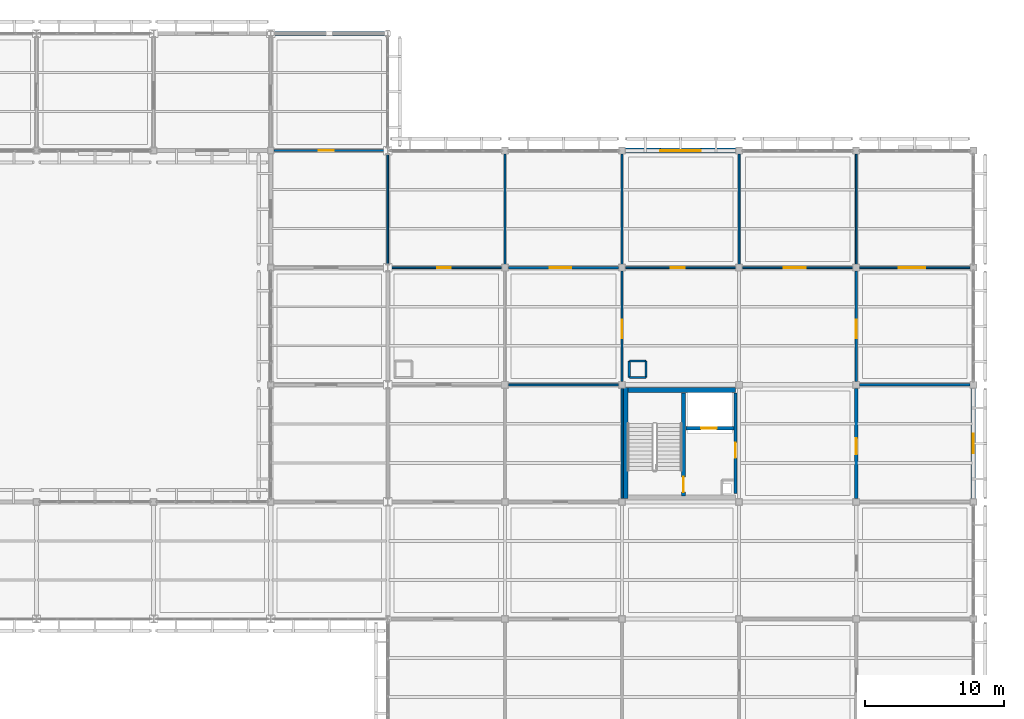
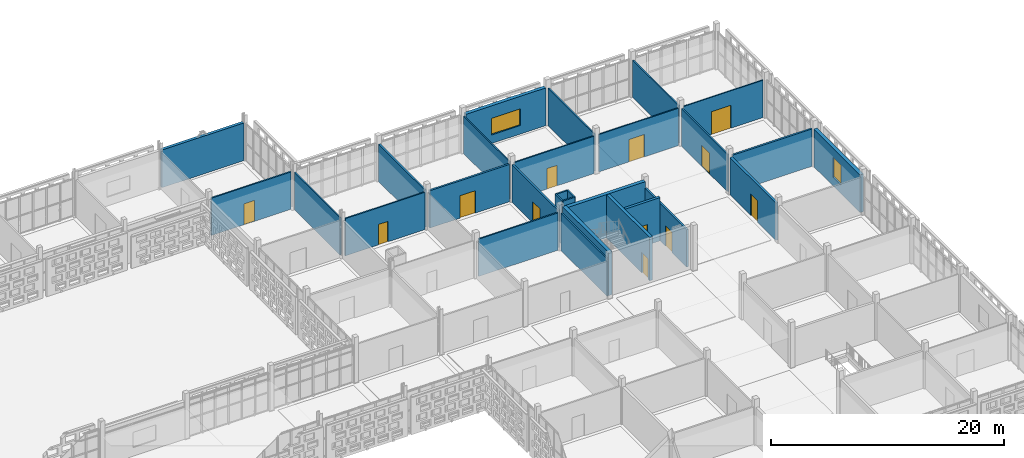
# One storey, part 128 of 203: 29 walls, 12 doors, 2 windows, 14 openings.
"""IFC4 building model written with IfcOpenShell, lengths in metres."""

from ifc_helpers import new_model, si_unit, direction, frame, frame_2d, origin, place, context, subcontext, project, spatial, rectangle, extrude, material, layer, layer_set, type_object, element, fill, save


model = new_model("IFC4")

# Units and contexts
model_context = context("Model", 3, precision=1e-05, world=origin(), true_north=direction((0.0, 1.0)))
body_context = subcontext(model_context, "Body", "Model", "MODEL_VIEW")
ifc_project = project(units=[si_unit("LENGTHUNIT", "METRE"), si_unit("AREAUNIT", "SQUARE_METRE"), si_unit("VOLUMEUNIT", "CUBIC_METRE"), si_unit("PLANEANGLEUNIT", "RADIAN"), si_unit("MASSUNIT", "GRAM", prefix="KILO")], contexts=[model_context])

# Site, building, storey
site_placement = place(None, origin())
site = spatial("IfcSite", under=ifc_project, at=site_placement, CompositionType="ELEMENT")
building_placement = place(site_placement, origin())
building = spatial("IfcBuilding", under=site, at=building_placement, Name="Varnapada Polytechnic", CompositionType="ELEMENT")
storey_placement = place(building_placement, frame((0.0, 0.0, 4.800048828125)))
storey = spatial("IfcBuildingStorey", under=building, at=storey_placement, Name="L01", CompositionType="ELEMENT", Elevation=4.800048828125)

# Wall, opening, door
ifc_material_1 = material(Name="Autoclaved Aerated Concrete Block AAC-600", Category="concrete")
ifc_layer_1 = layer(ifc_material_1, 0.199951171875)
ifc_layer_set_1 = layer_set([ifc_layer_1], Name="Autoclaved Aerated Concrete Block AAC-600")
wall_type_1 = type_object("IfcWallType", Name="Interior Wall IW-01", PredefinedType="PARTITIONING", material=ifc_layer_set_1)
wall_1_placement = place(storey_placement, frame((159.340087890625, 100.199951171875, 0.0), z_axis=(0.0, 0.0, 1.0), x_axis=(0.0, -1.0, 0.0)))
wall_1 = element("IfcWall", 1, at=wall_1_placement, inside=storey, type_object=wall_type_1, Name="L01 C5 firefighting lobby east wall", PredefinedType="PARTITIONING", context=body_context, shape_type="SweptSolid", body=[
    extrude(rectangle(XDim=7.199951171875, YDim=0.199951171875, at=frame_2d((3.60009765625, 0.0))), origin(), (0.0, 0.0, 1.0), 3.919921875),
])
opening_1_placement = place(wall_1_placement, frame((3.550048828125, 0.0, 0.0)))
opening_1 = element("IfcOpeningElement", 2, at=opening_1_placement, cuts=wall_1, Name="Opening D-955", PredefinedType="OPENING", context=body_context, shape_type="SweptSolid", body=[
    extrude(rectangle(XDim=1.10009765625, YDim=2.14990234375, at=frame_2d((0.550048828125, 1.074951171875))), frame((0.0, 0.10986328125, 0.0), z_axis=(0.0, -1.0, 0.0), x_axis=(1.0, 0.0, 0.0)), (0.0, 0.0, 1.0), 0.219970703125),
])
ifc_material_2 = material(Name="Galvanized Steel Z275", Category="steel")
door_type_1 = type_object("IfcDoorType", Name="Interior Door ID-01", OperationType="NOTDEFINED", PredefinedType="DOOR", material=ifc_material_2)
door_1_placement = place(opening_1_placement, frame((1.10009765625, 0.0, 0.0), z_axis=(0.0, 0.0, 1.0), x_axis=(-1.0, 0.0, 0.0)))
door_1 = element("IfcDoor", 3, at=door_1_placement, inside=storey, type_object=door_type_1, Name="L01 C5 lobby fire door D-955", OperationType="SINGLE_SWING_LEFT", OverallHeight=2.14990234375, OverallWidth=1.10009765625, PredefinedType="DOOR", context=body_context, shape_type="SweptSolid", body=[
    extrude(rectangle(XDim=1.10009765625, YDim=2.14990234375, at=frame_2d((0.550048828125, 1.074951171875))), frame((0.0, 0.02490234375, 0.0), z_axis=(0.0, -1.0, 0.0), x_axis=(1.0, 0.0, 0.0)), (0.0, 0.0, 1.0), 0.050048828125),
])
fill(opening_1, door_1)

# Walls
ifc_layer_2 = layer(ifc_material_1, 0.14990234375)
ifc_layer_set_2 = layer_set([ifc_layer_2], Name="Autoclaved Aerated Concrete Block AAC-600")
wall_type_2 = type_object("IfcWallType", Name="Interior Wall IW-02", PredefinedType="PARTITIONING", material=ifc_layer_set_2)
for number, where, z_axis, x_axis, name in (
    (4, (151.719970703125, 101.320068359375, 0.0), (0.0, 0.0, 1.0), (1.0, 0.0, 0.0), "L01 enclosed service riser wall (19,13) S"),
    (5, (152.919921875, 101.320068359375, 0.0), (0.0, 0.0, 1.0), (0.0, 1.0, 0.0), "L01 enclosed service riser wall (19,13) E"),
    (6, (152.919921875, 102.52001953125, 0.0), (0.0, 0.0, 1.0), (-1.0, 0.0, 0.0), "L01 enclosed service riser wall (19,13) N"),
    (7, (151.719970703125, 102.52001953125, 0.0), (0.0, 0.0, 1.0), (0.0, -1.0, 0.0), "L01 enclosed service riser wall (19,13) W"),
):
    element("IfcWall", number, at=place(storey_placement, frame(where, z_axis=z_axis, x_axis=x_axis)), inside=storey, type_object=wall_type_2, Name=name, PredefinedType="PARTITIONING", context=body_context, shape_type="SweptSolid", body=[
        extrude(rectangle(XDim=1.199951171875, YDim=0.14990234375, at=frame_2d((0.60009765625, 0.0))), origin(), (0.0, 0.0, 1.0), 4.550048828125),
    ])

# Wall, opening, door
wall_2_placement = place(storey_placement, frame((168.0, 101.050048828125, 0.0), z_axis=(0.0, 0.0, 1.0), x_axis=(0.0, 1.0, 0.0)))
wall_2 = element("IfcWall", 8, at=wall_2_placement, inside=storey, type_object=wall_type_2, Name="L01 interior partition IW-L01-19-12-V", PredefinedType="PARTITIONING", context=body_context, shape_type="SweptSolid", body=[
    extrude(rectangle(XDim=7.909912109375, YDim=0.14990234375, at=frame_2d((3.955078125, 0.0))), origin(), (0.0, 0.0, 1.0), 3.919921875),
])
opening_2_placement = place(wall_2_placement, frame((3.10009765625, 0.0, 0.0)))
opening_2 = element("IfcOpeningElement", 9, at=opening_2_placement, cuts=wall_2, Name="Opening D-1080", PredefinedType="OPENING", context=body_context, shape_type="SweptSolid", body=[
    extrude(rectangle(XDim=1.300048828125, YDim=2.199951171875, at=frame_2d((0.64990234375, 1.10009765625))), frame((0.0, 0.0849609375, 0.0), z_axis=(0.0, -1.0, 0.0), x_axis=(1.0, 0.0, 0.0)), (0.0, 0.0, 1.0), 0.169921875),
])
ifc_material_3 = material(Name="Acoustic Laminated Timber Leaf", Category="wood")
door_type_2 = type_object("IfcDoorType", Name="Interior Door ID-11", OperationType="NOTDEFINED", PredefinedType="DOOR", material=ifc_material_3)
door_2_placement = place(opening_2_placement, origin())
door_2 = element("IfcDoor", 10, at=door_2_placement, inside=storey, type_object=door_type_2, Name="L01 interior room door D-1080", OperationType="SINGLE_SWING_LEFT", OverallHeight=2.199951171875, OverallWidth=1.300048828125, PredefinedType="DOOR", context=body_context, shape_type="SweptSolid", body=[
    extrude(rectangle(XDim=1.300048828125, YDim=2.199951171875, at=frame_2d((0.64990234375, 1.10009765625))), frame((0.0, 0.02490234375, 0.0), z_axis=(0.0, -1.0, 0.0), x_axis=(1.0, 0.0, 0.0)), (0.0, 0.0, 1.0), 0.050048828125),
])
fill(opening_2, door_2)

# Wall
ifc_material_4 = material(Name="Gypsum Plasterboard Acoustic Partition")
ifc_layer_3 = layer(ifc_material_4, 0.125)
ifc_layer_set_3 = layer_set([ifc_layer_3], Name="Gypsum Plasterboard Acoustic Partition")
wall_type_3 = type_object("IfcWallType", Name="Interior Wall IW-03", PredefinedType="PARTITIONING", material=ifc_layer_set_3)
wall_3_placement = place(storey_placement, frame((134.39990234375, 109.469970703125, 0.0), z_axis=(0.0, 0.0, 1.0), x_axis=(0.0, 1.0, 0.0)))
element("IfcWall", 11, at=wall_3_placement, inside=storey, type_object=wall_type_3, Name="L01 interior partition IW-L01-15-13-V", PredefinedType="PARTITIONING", context=body_context, shape_type="SweptSolid", body=[
    extrude(rectangle(XDim=7.860107421875, YDim=0.125, at=frame_2d((3.93017578125, 0.0))), origin(), (0.0, 0.0, 1.0), 3.919921875),
])

# Wall, opening, door
wall_4_placement = place(storey_placement, frame((151.43994140625, 109.199951171875, 0.0), z_axis=(0.0, 0.0, 1.0), x_axis=(1.0, 0.0, 0.0)))
wall_4 = element("IfcWall", 12, at=wall_4_placement, inside=storey, type_object=wall_type_3, Name="L01 interior partition IW-L01-18-12-H", PredefinedType="PARTITIONING", context=body_context, shape_type="SweptSolid", body=[
    extrude(rectangle(XDim=7.920166015625, YDim=0.125, at=frame_2d((3.9599609375, 0.0))), origin(), (0.0, 0.0, 1.0), 3.919921875),
])
opening_3_placement = place(wall_4_placement, frame((3.25, 0.0, 0.0)))
opening_3 = element("IfcOpeningElement", 13, at=opening_3_placement, cuts=wall_4, Name="Opening D-1071", PredefinedType="OPENING", context=body_context, shape_type="SweptSolid", body=[
    extrude(rectangle(XDim=1.0, YDim=2.14990234375, at=frame_2d((0.5, 1.074951171875))), frame((0.0, 0.072509765625, 0.0), z_axis=(0.0, -1.0, 0.0), x_axis=(1.0, 0.0, 0.0)), (0.0, 0.0, 1.0), 0.14501953125),
])
ifc_material_5 = material(Name="Solid Teak Hardwood Timber", Category="wood")
door_type_3 = type_object("IfcDoorType", Name="Interior Door ID-02", OperationType="NOTDEFINED", PredefinedType="DOOR", material=ifc_material_5)
door_3_placement = place(opening_3_placement, origin())
door_3 = element("IfcDoor", 14, at=door_3_placement, inside=storey, type_object=door_type_3, Name="L01 interior room door D-1071", OperationType="SINGLE_SWING_RIGHT", OverallHeight=2.14990234375, OverallWidth=1.0, PredefinedType="DOOR", context=body_context, shape_type="SweptSolid", body=[
    extrude(rectangle(XDim=1.0, YDim=2.14990234375, at=frame_2d((0.5, 1.074951171875))), frame((0.0, 0.02490234375, 0.0), z_axis=(0.0, -1.0, 0.0), x_axis=(1.0, 0.0, 0.0)), (0.0, 0.0, 1.0), 0.050048828125),
])
fill(opening_3, door_3)

wall_5_placement = place(storey_placement, frame((159.840087890625, 109.199951171875, 0.0), z_axis=(0.0, 0.0, 1.0), x_axis=(1.0, 0.0, 0.0)))
wall_5 = element("IfcWall", 15, at=wall_5_placement, inside=storey, type_object=wall_type_3, Name="L01 interior partition IW-L01-19-12-H", PredefinedType="PARTITIONING", context=body_context, shape_type="SweptSolid", body=[
    extrude(rectangle(XDim=7.919921875, YDim=0.125, at=frame_2d((3.9599609375, 0.0))), origin(), (0.0, 0.0, 1.0), 3.919921875),
])
opening_4_placement = place(wall_5_placement, frame((2.97509765625, 0.0, 0.0)))
opening_4 = element("IfcOpeningElement", 16, at=opening_4_placement, cuts=wall_5, Name="Opening D-1081", PredefinedType="OPENING", context=body_context, shape_type="SweptSolid", body=[
    extrude(rectangle(XDim=1.550048828125, YDim=2.35009765625, at=frame_2d((0.77490234375, 1.175048828125))), frame((0.0, 0.072509765625, 0.0), z_axis=(0.0, -1.0, 0.0), x_axis=(1.0, 0.0, 0.0)), (0.0, 0.0, 1.0), 0.14501953125),
])
door_type_4 = type_object("IfcDoorType", Name="Interior Door ID-12", OperationType="NOTDEFINED", PredefinedType="DOOR", material=ifc_material_2)
door_4_placement = place(opening_4_placement, origin())
door_4 = element("IfcDoor", 17, at=door_4_placement, inside=storey, type_object=door_type_4, Name="L01 interior room door D-1081", OperationType="SINGLE_SWING_RIGHT", OverallHeight=2.35009765625, OverallWidth=1.550048828125, PredefinedType="DOOR", context=body_context, shape_type="SweptSolid", body=[
    extrude(rectangle(XDim=1.550048828125, YDim=2.35009765625, at=frame_2d((0.77490234375, 1.175048828125))), frame((0.0, 0.02490234375, 0.0), z_axis=(0.0, -1.0, 0.0), x_axis=(1.0, 0.0, 0.0)), (0.0, 0.0, 1.0), 0.050048828125),
])
fill(opening_4, door_4)

ifc_material_6 = material(Name="Moisture-Resistant Cement Board Partition")
ifc_layer_4 = layer(ifc_material_6, 0.139892578125)
ifc_layer_set_4 = layer_set([ifc_layer_4], Name="Moisture-Resistant Cement Board Partition")
wall_type_4 = type_object("IfcWallType", Name="Interior Wall IW-04", PredefinedType="PARTITIONING", material=ifc_layer_set_4)
wall_6_placement = place(storey_placement, frame((126.22998046875, 117.60009765625, 0.0), z_axis=(0.0, 0.0, 1.0), x_axis=(1.0, 0.0, 0.0)))
wall_6 = element("IfcWall", 18, at=wall_6_placement, inside=storey, type_object=wall_type_4, Name="L01 interior partition IW-L01-15-13-H", PredefinedType="PARTITIONING", context=body_context, shape_type="SweptSolid", body=[
    extrude(rectangle(XDim=7.89990234375, YDim=0.139892578125, at=frame_2d((3.949951171875, 0.0))), origin(), (0.0, 0.0, 1.0), 3.919921875),
])
opening_5_placement = place(wall_6_placement, frame((3.22509765625, 0.0, 0.0)))
opening_5 = element("IfcOpeningElement", 19, at=opening_5_placement, cuts=wall_6, Name="Opening D-1044", PredefinedType="OPENING", context=body_context, shape_type="SweptSolid", body=[
    extrude(rectangle(XDim=1.050048828125, YDim=2.199951171875, at=frame_2d((0.52490234375, 1.10009765625))), frame((0.0, 0.079833984375, 0.0), z_axis=(0.0, -1.0, 0.0), x_axis=(1.0, 0.0, 0.0)), (0.0, 0.0, 1.0), 0.159912109375),
])
door_type_5 = type_object("IfcDoorType", Name="Interior Door ID-09", OperationType="NOTDEFINED", PredefinedType="DOOR", material=ifc_material_5)
door_5_placement = place(opening_5_placement, origin())
door_5 = element("IfcDoor", 20, at=door_5_placement, inside=storey, type_object=door_type_5, Name="L01 interior room door D-1044", OperationType="SINGLE_SWING_LEFT", OverallHeight=2.199951171875, OverallWidth=1.050048828125, PredefinedType="DOOR", context=body_context, shape_type="SweptSolid", body=[
    extrude(rectangle(XDim=1.050048828125, YDim=2.199951171875, at=frame_2d((0.52490234375, 1.10009765625))), frame((0.0, 0.02490234375, 0.0), z_axis=(0.0, -1.0, 0.0), x_axis=(1.0, 0.0, 0.0)), (0.0, 0.0, 1.0), 0.050048828125),
])
fill(opening_5, door_5)

# Walls
wall_7_placement = place(storey_placement, frame((151.199951171875, 92.639892578125, 0.0), z_axis=(0.0, 0.0, 1.0), x_axis=(0.0, 1.0, 0.0)))
element("IfcWall", 21, at=wall_7_placement, inside=storey, type_object=wall_type_4, Name="L01 interior partition IW-L01-17-11-V", PredefinedType="PARTITIONING", context=body_context, shape_type="SweptSolid", body=[
    extrude(rectangle(XDim=7.91015625, YDim=0.139892578125, at=frame_2d((3.955078125, 0.0))), origin(), (0.0, 0.0, 1.0), 3.919921875),
])
wall_8_placement = place(storey_placement, frame((143.050048828125, 100.800048828125, 0.0), z_axis=(0.0, 0.0, 1.0), x_axis=(1.0, 0.0, 0.0)))
element("IfcWall", 22, at=wall_8_placement, inside=storey, type_object=wall_type_4, Name="L01 interior partition IW-L01-17-11-H", PredefinedType="PARTITIONING", context=body_context, shape_type="SweptSolid", body=[
    extrude(rectangle(XDim=7.89990234375, YDim=0.139892578125, at=frame_2d((3.949951171875, 0.0))), origin(), (0.0, 0.0, 1.0), 3.919921875),
])
for number, where, z_axis, x_axis, name in (
    (23, (159.60009765625, 109.43994140625, 0.0), (0.0, 0.0, 1.0), (0.0, 1.0, 0.0), "L01 interior partition IW-L01-18-13-V"),
    (24, (168.0, 109.43994140625, 0.0), (0.0, 0.0, 1.0), (0.0, 1.0, 0.0), "L01 interior partition IW-L01-19-13-V"),
):
    element("IfcWall", number, at=place(storey_placement, frame(where, z_axis=z_axis, x_axis=x_axis)), inside=storey, type_object=wall_type_4, Name=name, PredefinedType="PARTITIONING", context=body_context, shape_type="SweptSolid", body=[
        extrude(rectangle(XDim=7.91015625, YDim=0.139892578125, at=frame_2d((3.955078125, 0.0))), origin(), (0.0, 0.0, 1.0), 3.919921875),
    ])

# Wall, opening, door
ifc_material_7 = material(Name="Calcium Silicate Acoustic Lab Partition")
ifc_layer_5 = layer(ifc_material_7, 0.135009765625)
ifc_layer_set_5 = layer_set([ifc_layer_5], Name="Calcium Silicate Acoustic Lab Partition")
wall_type_5 = type_object("IfcWallType", Name="Interior Wall IW-09", PredefinedType="PARTITIONING", material=ifc_layer_set_5)
wall_9_placement = place(storey_placement, frame((134.669921875, 109.199951171875, 0.0), z_axis=(0.0, 0.0, 1.0), x_axis=(1.0, 0.0, 0.0)))
wall_9 = element("IfcWall", 25, at=wall_9_placement, inside=storey, type_object=wall_type_5, Name="L01 interior partition IW-L01-16-12-H", PredefinedType="PARTITIONING", context=body_context, shape_type="SweptSolid", body=[
    extrude(rectangle(XDim=7.89013671875, YDim=0.135009765625, at=frame_2d((3.945068359375, 0.0))), origin(), (0.0, 0.0, 1.0), 3.909912109375),
])
opening_6_placement = place(wall_9_placement, frame((3.27490234375, 0.0, 0.0)))
opening_6 = element("IfcOpeningElement", 26, at=opening_6_placement, cuts=wall_9, Name="Opening D-1055", PredefinedType="OPENING", context=body_context, shape_type="SweptSolid", body=[
    extrude(rectangle(XDim=0.949951171875, YDim=2.14990234375, at=frame_2d((0.47509765625, 1.074951171875))), frame((0.0, 0.077392578125, 0.0), z_axis=(0.0, -1.0, 0.0), x_axis=(1.0, 0.0, 0.0)), (0.0, 0.0, 1.0), 0.155029296875),
])
ifc_material_8 = material(Name="Moisture-Resistant HPL Timber", Category="wood")
door_type_6 = type_object("IfcDoorType", Name="Interior Door ID-03", OperationType="NOTDEFINED", PredefinedType="DOOR", material=ifc_material_8)
door_6_placement = place(opening_6_placement, frame((0.949951171875, 0.0, 0.0), z_axis=(0.0, 0.0, 1.0), x_axis=(-1.0, 0.0, 0.0)))
door_6 = element("IfcDoor", 27, at=door_6_placement, inside=storey, type_object=door_type_6, Name="L01 interior room door D-1055", OperationType="SINGLE_SWING_RIGHT", OverallHeight=2.14990234375, OverallWidth=0.949951171875, PredefinedType="DOOR", context=body_context, shape_type="SweptSolid", body=[
    extrude(rectangle(XDim=0.949951171875, YDim=2.14990234375, at=frame_2d((0.47509765625, 1.074951171875))), frame((0.0, 0.02490234375, 0.0), z_axis=(0.0, -1.0, 0.0), x_axis=(1.0, 0.0, 0.0)), (0.0, 0.0, 1.0), 0.050048828125),
])
fill(opening_6, door_6)

# Wall
ifc_material_9 = material(Name="Double-Layer Fireboard Workshop Wall")
ifc_layer_6 = layer(ifc_material_9, 0.169921875)
ifc_layer_set_6 = layer_set([ifc_layer_6], Name="Double-Layer Fireboard Workshop Wall")
wall_type_6 = type_object("IfcWallType", Name="Interior Wall IW-10", PredefinedType="PARTITIONING", material=ifc_layer_set_6)
wall_10_placement = place(storey_placement, frame((142.800048828125, 109.43994140625, 0.0), z_axis=(0.0, 0.0, 1.0), x_axis=(0.0, 1.0, 0.0)))
element("IfcWall", 28, at=wall_10_placement, inside=storey, type_object=wall_type_6, Name="L01 interior partition IW-L01-16-13-V", PredefinedType="PARTITIONING", context=body_context, shape_type="SweptSolid", body=[
    extrude(rectangle(XDim=7.91015625, YDim=0.169921875, at=frame_2d((3.955078125, 0.0))), origin(), (0.0, 0.0, 1.0), 3.919921875),
])

# Wall, opening, door
wall_11_placement = place(storey_placement, frame((151.199951171875, 101.050048828125, 0.0), z_axis=(0.0, 0.0, 1.0), x_axis=(0.0, 1.0, 0.0)))
wall_11 = element("IfcWall", 29, at=wall_11_placement, inside=storey, type_object=wall_type_6, Name="L01 interior partition IW-L01-17-12-V", PredefinedType="PARTITIONING", context=body_context, shape_type="SweptSolid", body=[
    extrude(rectangle(XDim=7.909912109375, YDim=0.169921875, at=frame_2d((3.955078125, 0.0))), origin(), (0.0, 0.0, 1.0), 3.919921875),
])
opening_7_placement = place(wall_11_placement, frame((3.10009765625, 0.0, 0.0)))
opening_7 = element("IfcOpeningElement", 30, at=opening_7_placement, cuts=wall_11, Name="Opening D-1063", PredefinedType="OPENING", context=body_context, shape_type="SweptSolid", body=[
    extrude(rectangle(XDim=1.300048828125, YDim=2.199951171875, at=frame_2d((0.64990234375, 1.10009765625))), frame((0.0, 0.094970703125, 0.0), z_axis=(0.0, -1.0, 0.0), x_axis=(1.0, 0.0, 0.0)), (0.0, 0.0, 1.0), 0.18994140625),
])
door_7_placement = place(opening_7_placement, origin())
door_7 = element("IfcDoor", 31, at=door_7_placement, inside=storey, type_object=door_type_2, Name="L01 interior room door D-1063", OperationType="SINGLE_SWING_RIGHT", OverallHeight=2.199951171875, OverallWidth=1.300048828125, PredefinedType="DOOR", context=body_context, shape_type="SweptSolid", body=[
    extrude(rectangle(XDim=1.300048828125, YDim=2.199951171875, at=frame_2d((0.64990234375, 1.10009765625))), frame((0.0, 0.02490234375, 0.0), z_axis=(0.0, -1.0, 0.0), x_axis=(1.0, 0.0, 0.0)), (0.0, 0.0, 1.0), 0.050048828125),
])
fill(opening_7, door_7)

ifc_material_10 = material(Name="Insulated Masonry Plant Room Wall", Category="masonry")
ifc_layer_7 = layer(ifc_material_10, 0.18994140625)
ifc_layer_set_7 = layer_set([ifc_layer_7], Name="Insulated Masonry Plant Room Wall")
wall_type_7 = type_object("IfcWallType", Name="Interior Wall IW-11", PredefinedType="PARTITIONING", material=ifc_layer_set_7)
wall_12_placement = place(storey_placement, frame((143.0400390625, 109.199951171875, 0.0), z_axis=(0.0, 0.0, 1.0), x_axis=(1.0, 0.0, 0.0)))
wall_12 = element("IfcWall", 32, at=wall_12_placement, inside=storey, type_object=wall_type_7, Name="L01 interior partition IW-L01-17-12-H", PredefinedType="PARTITIONING", context=body_context, shape_type="SweptSolid", body=[
    extrude(rectangle(XDim=7.919921875, YDim=0.18994140625, at=frame_2d((3.9599609375, 0.0))), origin(), (0.0, 0.0, 1.0), 3.919921875),
])
opening_8_placement = place(wall_12_placement, frame((2.97509765625, 0.0, 0.0)))
opening_8 = element("IfcOpeningElement", 33, at=opening_8_placement, cuts=wall_12, Name="Opening D-1064", PredefinedType="OPENING", context=body_context, shape_type="SweptSolid", body=[
    extrude(rectangle(XDim=1.550048828125, YDim=2.35009765625, at=frame_2d((0.77490234375, 1.175048828125))), frame((0.0, 0.10498046875, 0.0), z_axis=(0.0, -1.0, 0.0), x_axis=(1.0, 0.0, 0.0)), (0.0, 0.0, 1.0), 0.2099609375),
])
door_8_placement = place(opening_8_placement, frame((1.550048828125, 0.0, 0.0), z_axis=(0.0, 0.0, 1.0), x_axis=(-1.0, 0.0, 0.0)))
door_8 = element("IfcDoor", 34, at=door_8_placement, inside=storey, type_object=door_type_4, Name="L01 interior room door D-1064", OperationType="SINGLE_SWING_LEFT", OverallHeight=2.35009765625, OverallWidth=1.550048828125, PredefinedType="DOOR", context=body_context, shape_type="SweptSolid", body=[
    extrude(rectangle(XDim=1.550048828125, YDim=2.35009765625, at=frame_2d((0.77490234375, 1.175048828125))), frame((0.0, 0.02490234375, 0.0), z_axis=(0.0, -1.0, 0.0), x_axis=(1.0, 0.0, 0.0)), (0.0, 0.0, 1.0), 0.050048828125),
])
fill(opening_8, door_8)

# Walls
wall_13_placement = place(storey_placement, frame((168.25, 100.800048828125, 0.0), z_axis=(0.0, 0.0, 1.0), x_axis=(1.0, 0.0, 0.0)))
element("IfcWall", 35, at=wall_13_placement, inside=storey, type_object=wall_type_7, Name="L01 interior partition IW-L01-20-11-H", PredefinedType="PARTITIONING", context=body_context, shape_type="SweptSolid", body=[
    extrude(rectangle(XDim=7.89990234375, YDim=0.18994140625, at=frame_2d((3.949951171875, 0.0))), origin(), (0.0, 0.0, 1.0), 3.919921875),
])
ifc_material_11 = material(Name="Timber-Stud Studio Critique Partition", Category="wood")
ifc_layer_8 = layer(ifc_material_11, 0.114990234375)
ifc_layer_set_8 = layer_set([ifc_layer_8], Name="Timber-Stud Studio Critique Partition")
wall_type_8 = type_object("IfcWallType", Name="Interior Wall IW-12", PredefinedType="PARTITIONING", material=ifc_layer_set_8)
wall_14_placement = place(storey_placement, frame((151.199951171875, 109.43994140625, 0.0), z_axis=(0.0, 0.0, 1.0), x_axis=(0.0, 1.0, 0.0)))
element("IfcWall", 36, at=wall_14_placement, inside=storey, type_object=wall_type_8, Name="L01 interior partition IW-L01-17-13-V", PredefinedType="PARTITIONING", context=body_context, shape_type="SweptSolid", body=[
    extrude(rectangle(XDim=7.91015625, YDim=0.114990234375, at=frame_2d((3.955078125, 0.0))), origin(), (0.0, 0.0, 1.0), 3.919921875),
])

# Wall, opening, door
wall_15_placement = place(storey_placement, frame((168.239990234375, 109.199951171875, 0.0), z_axis=(0.0, 0.0, 1.0), x_axis=(1.0, 0.0, 0.0)))
wall_15 = element("IfcWall", 37, at=wall_15_placement, inside=storey, type_object=wall_type_8, Name="L01 interior partition IW-L01-20-12-H", PredefinedType="PARTITIONING", context=body_context, shape_type="SweptSolid", body=[
    extrude(rectangle(XDim=7.919921875, YDim=0.114990234375, at=frame_2d((3.9599609375, 0.0))), origin(), (0.0, 0.0, 1.0), 3.919921875),
])
opening_9_placement = place(wall_15_placement, frame((2.800048828125, 0.0, 0.0)))
opening_9 = element("IfcOpeningElement", 38, at=opening_9_placement, cuts=wall_15, Name="Opening D-1083", PredefinedType="OPENING", context=body_context, shape_type="SweptSolid", body=[
    extrude(rectangle(XDim=1.89990234375, YDim=2.39990234375, at=frame_2d((0.949951171875, 1.199951171875))), frame((0.0, 0.0673828125, 0.0), z_axis=(0.0, -1.0, 0.0), x_axis=(1.0, 0.0, 0.0)), (0.0, 0.0, 1.0), 0.135009765625),
])
ifc_material_12 = material(Name="Heavy Workshop Double Steel Door", Category="steel")
door_type_7 = type_object("IfcDoorType", Name="Interior Door ID-14", OperationType="NOTDEFINED", PredefinedType="DOOR", material=ifc_material_12)
door_9_placement = place(opening_9_placement, origin())
door_9 = element("IfcDoor", 39, at=door_9_placement, inside=storey, type_object=door_type_7, Name="L01 interior room door D-1083", OperationType="SINGLE_SWING_RIGHT", OverallHeight=2.39990234375, OverallWidth=1.89990234375, PredefinedType="DOOR", context=body_context, shape_type="SweptSolid", body=[
    extrude(rectangle(XDim=1.89990234375, YDim=2.39990234375, at=frame_2d((0.949951171875, 1.199951171875))), frame((0.0, 0.02490234375, 0.0), z_axis=(0.0, -1.0, 0.0), x_axis=(1.0, 0.0, 0.0)), (0.0, 0.0, 1.0), 0.050048828125),
])
fill(opening_9, door_9)

ifc_material_13 = material(Name="Double-Leaf Acoustic Lecture Wall")
ifc_layer_9 = layer(ifc_material_13, 0.235107421875)
ifc_layer_set_9 = layer_set([ifc_layer_9], Name="Double-Leaf Acoustic Lecture Wall")
wall_type_9 = type_object("IfcWallType", Name="Interior Wall IW-17", PredefinedType="PARTITIONING", material=ifc_layer_set_9)
wall_16_placement = place(storey_placement, frame((168.0, 92.639892578125, 0.0), z_axis=(0.0, 0.0, 1.0), x_axis=(0.0, 1.0, 0.0)))
wall_16 = element("IfcWall", 40, at=wall_16_placement, inside=storey, type_object=wall_type_9, Name="L01 interior partition IW-L01-19-11-V", PredefinedType="PARTITIONING", context=body_context, shape_type="SweptSolid", body=[
    extrude(rectangle(XDim=7.91015625, YDim=0.235107421875, at=frame_2d((3.955078125, 0.0))), origin(), (0.0, 0.0, 1.0), 3.919921875),
])
opening_10_placement = place(wall_16_placement, frame((3.175048828125, 0.0, 0.0)))
opening_10 = element("IfcOpeningElement", 41, at=opening_10_placement, cuts=wall_16, Name="Opening D-1079", PredefinedType="OPENING", context=body_context, shape_type="SweptSolid", body=[
    extrude(rectangle(XDim=1.14990234375, YDim=2.25, at=frame_2d((0.574951171875, 1.125))), frame((0.0, 0.12744140625, 0.0), z_axis=(0.0, -1.0, 0.0), x_axis=(1.0, 0.0, 0.0)), (0.0, 0.0, 1.0), 0.255126953125),
])
ifc_material_14 = material(Name="Powder-Coated Aluminium 6063-T6", Category="aluminium")
door_type_8 = type_object("IfcDoorType", Name="Interior Door ID-10", OperationType="NOTDEFINED", PredefinedType="DOOR", material=ifc_material_14)
door_10_placement = place(opening_10_placement, frame((1.14990234375, 0.0, 0.0), z_axis=(0.0, 0.0, 1.0), x_axis=(-1.0, 0.0, 0.0)))
door_10 = element("IfcDoor", 42, at=door_10_placement, inside=storey, type_object=door_type_8, Name="L01 interior room door D-1079", OperationType="SINGLE_SWING_RIGHT", OverallHeight=2.25, OverallWidth=1.14990234375, PredefinedType="DOOR", context=body_context, shape_type="SweptSolid", body=[
    extrude(rectangle(XDim=1.14990234375, YDim=2.25, at=frame_2d((0.574951171875, 1.125))), frame((0.0, 0.02490234375, 0.0), z_axis=(0.0, -1.0, 0.0), x_axis=(1.0, 0.0, 0.0)), (0.0, 0.0, 1.0), 0.050048828125),
])
fill(opening_10, door_10)

# Walls
ifc_material_15 = material(Name="Concrete C40/50", Category="concrete")
ifc_layer_10 = layer(ifc_material_15, 0.35009765625)
ifc_layer_set_10 = layer_set([ifc_layer_10], Name="Concrete C40/50")
wall_type_10 = type_object("IfcWallType", Name="Interior Wall SW-01", PredefinedType="SHEAR", material=ifc_layer_set_10)
wall_17_placement = place(storey_placement, frame((151.465087890625, 92.64990234375, 0.0), z_axis=(0.0, 0.0, 1.0), x_axis=(0.0, 1.0, 0.0)))
element("IfcWall", 43, at=wall_17_placement, inside=storey, type_object=wall_type_10, Name="L01 C5 stair west shear wall", PredefinedType="SHEAR", context=body_context, shape_type="SweptSolid", body=[
    extrude(rectangle(XDim=7.940185546875, YDim=0.35009765625, at=frame_2d((3.97021484375, 0.0))), origin(), (0.0, 0.0, 1.0), 4.550048828125),
])
wall_18_placement = place(storey_placement, frame((151.465087890625, 100.419921875, 0.0), z_axis=(0.0, 0.0, 1.0), x_axis=(1.0, 0.0, 0.0)))
element("IfcWall", 44, at=wall_18_placement, inside=storey, type_object=wall_type_10, Name="L01 C5 core north shear wall", PredefinedType="SHEAR", context=body_context, shape_type="SweptSolid", body=[
    extrude(rectangle(XDim=7.875, YDim=0.35009765625, at=frame_2d((3.9375, 0.0))), origin(), (0.0, 0.0, 1.0), 4.550048828125),
])

# Wall, opening, door
ifc_layer_11 = layer(ifc_material_15, 0.300048828125)
ifc_layer_set_11 = layer_set([ifc_layer_11], Name="Concrete C40/50")
wall_type_11 = type_object("IfcWallType", Name="Interior Wall SW-02", PredefinedType="SHEAR", material=ifc_layer_set_11)
wall_19_placement = place(storey_placement, frame((155.610107421875, 92.820068359375, 0.0), z_axis=(0.0, 0.0, 1.0), x_axis=(0.0, 1.0, 0.0)))
wall_19 = element("IfcWall", 45, at=wall_19_placement, inside=storey, type_object=wall_type_11, Name="L01 C5 stair-lobby dividing shear wall", PredefinedType="SHEAR", context=body_context, shape_type="SweptSolid", body=[
    extrude(rectangle(XDim=7.3798828125, YDim=0.300048828125, at=frame_2d((3.68994140625, 0.0))), origin(), (0.0, 0.0, 1.0), 4.550048828125),
])
opening_11_placement = place(wall_19_placement, frame((0.280029296875, 0.0, 0.0)))
opening_11 = element("IfcOpeningElement", 46, at=opening_11_placement, cuts=wall_19, Name="Opening D-956", PredefinedType="OPENING", context=body_context, shape_type="SweptSolid", body=[
    extrude(rectangle(XDim=1.10009765625, YDim=2.14990234375, at=frame_2d((0.550048828125, 1.074951171875))), frame((0.0, 0.159912109375, 0.0), z_axis=(0.0, -1.0, 0.0), x_axis=(1.0, 0.0, 0.0)), (0.0, 0.0, 1.0), 0.320068359375),
])
door_11_placement = place(opening_11_placement, origin())
door_11 = element("IfcDoor", 47, at=door_11_placement, inside=storey, type_object=door_type_1, Name="L01 C5 exit stair door D-956", OperationType="SINGLE_SWING_LEFT", OverallHeight=2.14990234375, OverallWidth=1.10009765625, PredefinedType="DOOR", context=body_context, shape_type="SweptSolid", body=[
    extrude(rectangle(XDim=1.10009765625, YDim=2.14990234375, at=frame_2d((0.550048828125, 1.074951171875))), frame((0.0, 0.02490234375, 0.0), z_axis=(0.0, -1.0, 0.0), x_axis=(1.0, 0.0, 0.0)), (0.0, 0.0, 1.0), 0.050048828125),
])
fill(opening_11, door_11)

ifc_layer_12 = layer(ifc_material_15, 0.25)
ifc_layer_set_12 = layer_set([ifc_layer_12], Name="Concrete C40/50")
wall_type_12 = type_object("IfcWallType", Name="Interior Wall SW-05", PredefinedType="SHEAR", material=ifc_layer_set_12)
wall_20_placement = place(storey_placement, frame((155.780029296875, 97.679931640625, 0.0), z_axis=(0.0, 0.0, 1.0), x_axis=(1.0, 0.0, 0.0)))
wall_20 = element("IfcWall", 48, at=wall_20_placement, inside=storey, type_object=wall_type_12, Name="L01 C5 lift shaft front wall", PredefinedType="SHEAR", context=body_context, shape_type="SweptSolid", body=[
    extrude(rectangle(XDim=3.4599609375, YDim=0.25, at=frame_2d((1.72998046875, 0.0))), origin(), (0.0, 0.0, 1.0), 4.550048828125),
])
opening_12_placement = place(wall_20_placement, frame((1.10009765625, 0.0, 0.0)))
opening_12 = element("IfcOpeningElement", 49, at=opening_12_placement, cuts=wall_20, Name="Opening LD-018", PredefinedType="OPENING", context=body_context, shape_type="SweptSolid", body=[
    extrude(rectangle(XDim=1.10009765625, YDim=2.14990234375, at=frame_2d((0.550048828125, 1.074951171875))), frame((0.0, 0.135009765625, 0.0), z_axis=(0.0, -1.0, 0.0), x_axis=(1.0, 0.0, 0.0)), (0.0, 0.0, 1.0), 0.27001953125),
])
ifc_material_16 = material(Name="Brushed Stainless Steel 316", Category="steel")
door_type_9 = type_object("IfcDoorType", Name="Interior Door LD-01", OperationType="NOTDEFINED", PredefinedType="DOOR", material=ifc_material_16)
door_12_placement = place(opening_12_placement, origin())
door_12 = element("IfcDoor", 50, at=door_12_placement, inside=storey, type_object=door_type_9, Name="L01 LFT-05 sliding lift landing door LD-018", OperationType="DOUBLE_DOOR_SLIDING", OverallHeight=2.14990234375, OverallWidth=1.10009765625, PredefinedType="DOOR", context=body_context, shape_type="SweptSolid", body=[
    extrude(rectangle(XDim=1.10009765625, YDim=2.14990234375, at=frame_2d((0.550048828125, 1.074951171875))), frame((0.0, 0.02490234375, 0.0), z_axis=(0.0, -1.0, 0.0), x_axis=(1.0, 0.0, 0.0)), (0.0, 0.0, 1.0), 0.050048828125),
])
fill(opening_12, door_12)

# Wall
ifc_material_17 = material(Name="Precast concrete C40/50", Category="concrete")
ifc_layer_13 = layer(ifc_material_17, 0.280029296875)
ifc_layer_set_13 = layer_set([ifc_layer_13], Name="Precast concrete C40/50")
wall_type_13 = type_object("IfcWallType", Name="Wall EW-02", PredefinedType="SOLIDWALL", material=ifc_layer_set_13)
wall_21_placement = place(storey_placement, frame((126.14990234375, 126.0, 0.0), z_axis=(0.0, 0.0, 1.0), x_axis=(1.0, 0.0, 0.0)))
element("IfcWall", 51, at=wall_21_placement, inside=storey, type_object=wall_type_13, Name="L01 exterior wall EW-02 (111)", PredefinedType="SOLIDWALL", context=body_context, shape_type="SweptSolid", body=[
    extrude(rectangle(XDim=8.10009765625, YDim=0.280029296875, at=frame_2d((4.050048828125, 0.0))), origin(), (0.0, 0.0, 1.0), 3.9599609375),
])

# Wall, opening, window
ifc_layer_14 = layer(ifc_material_17, 0.340087890625)
ifc_layer_set_14 = layer_set([ifc_layer_14], Name="Precast concrete C40/50")
wall_type_14 = type_object("IfcWallType", Name="Wall EW-07", PredefinedType="SOLIDWALL", material=ifc_layer_set_14)
wall_22_placement = place(storey_placement, frame((151.429931640625, 117.60009765625, 0.0), z_axis=(0.0, 0.0, 1.0), x_axis=(1.0, 0.0, 0.0)))
wall_22 = element("IfcWall", 52, at=wall_22_placement, inside=storey, type_object=wall_type_14, Name="L01 exterior wall EW-07 (129)", PredefinedType="SOLIDWALL", context=body_context, shape_type="SweptSolid", body=[
    extrude(rectangle(XDim=7.940185546875, YDim=0.340087890625, at=frame_2d((3.97021484375, 0.0))), origin(), (0.0, 0.0, 1.0), 3.9599609375),
])
opening_13_placement = place(wall_22_placement, frame((2.52001953125, 0.0, 0.89990234375)))
opening_13 = element("IfcOpeningElement", 53, at=opening_13_placement, cuts=wall_22, Name="Opening WN-36", PredefinedType="OPENING", context=body_context, shape_type="SweptSolid", body=[
    extrude(rectangle(XDim=2.89990234375, YDim=1.75, at=frame_2d((1.449951171875, 0.875))), frame((0.0, 0.179931640625, 0.0), z_axis=(0.0, -1.0, 0.0), x_axis=(1.0, 0.0, 0.0)), (0.0, 0.0, 1.0), 0.360107421875),
])
ifc_material_18 = material(Name="Double low-E laminated glass", Category="glass")
window_type_1 = type_object("IfcWindowType", Name="Window WN-36", PartitioningType="SINGLE_PANEL", PredefinedType="WINDOW", material=ifc_material_18)
window_1_placement = place(opening_13_placement, origin())
window_1 = element("IfcWindow", 54, at=window_1_placement, inside=storey, type_object=window_type_1, Name="L01 window WN-36 (96)", OverallHeight=1.75, OverallWidth=2.89990234375, PartitioningType="SINGLE_PANEL", PredefinedType="WINDOW", context=body_context, shape_type="SweptSolid", body=[
    extrude(rectangle(XDim=2.89990234375, YDim=1.75, at=frame_2d((1.449951171875, 0.875))), frame((0.0, 0.030029296875, 0.0), z_axis=(0.0, -1.0, 0.0), x_axis=(1.0, 0.0, 0.0)), (0.0, 0.0, 1.0), 0.06005859375),
])
fill(opening_13, window_1)

wall_23_placement = place(storey_placement, frame((176.39990234375, 100.570068359375, 0.0), z_axis=(0.0, 0.0, 1.0), x_axis=(0.0, -1.0, 0.0)))
wall_23 = element("IfcWall", 55, at=wall_23_placement, inside=storey, type_object=wall_type_14, Name="L01 exterior wall EW-07 (149)", PredefinedType="SOLIDWALL", context=body_context, shape_type="SweptSolid", body=[
    extrude(rectangle(XDim=7.949951171875, YDim=0.340087890625, at=frame_2d((3.97509765625, 0.0))), origin(), (0.0, 0.0, 1.0), 3.9599609375),
])
opening_14_placement = place(wall_23_placement, frame((3.27490234375, 0.0, 0.89990234375)))
opening_14 = element("IfcOpeningElement", 56, at=opening_14_placement, cuts=wall_23, Name="Opening WN-04", PredefinedType="OPENING", context=body_context, shape_type="SweptSolid", body=[
    extrude(rectangle(XDim=1.39990234375, YDim=2.10009765625, at=frame_2d((0.699951171875, 1.050048828125))), frame((0.0, 0.179931640625, 0.0), z_axis=(0.0, -1.0, 0.0), x_axis=(1.0, 0.0, 0.0)), (0.0, 0.0, 1.0), 0.360107421875),
])
window_type_2 = type_object("IfcWindowType", Name="Window WN-04", PartitioningType="SINGLE_PANEL", PredefinedType="WINDOW", material=ifc_material_18)
window_2_placement = place(opening_14_placement, origin())
window_2 = element("IfcWindow", 57, at=window_2_placement, inside=storey, type_object=window_type_2, Name="L01 window WN-04 (103)", OverallHeight=2.10009765625, OverallWidth=1.39990234375, PartitioningType="SINGLE_PANEL", PredefinedType="WINDOW", context=body_context, shape_type="SweptSolid", body=[
    extrude(rectangle(XDim=1.39990234375, YDim=2.10009765625, at=frame_2d((0.699951171875, 1.050048828125))), frame((0.0, 0.030029296875, 0.0), z_axis=(0.0, -1.0, 0.0), x_axis=(1.0, 0.0, 0.0)), (0.0, 0.0, 1.0), 0.06005859375),
])
fill(opening_14, window_2)

save(model, "model.ifc")
